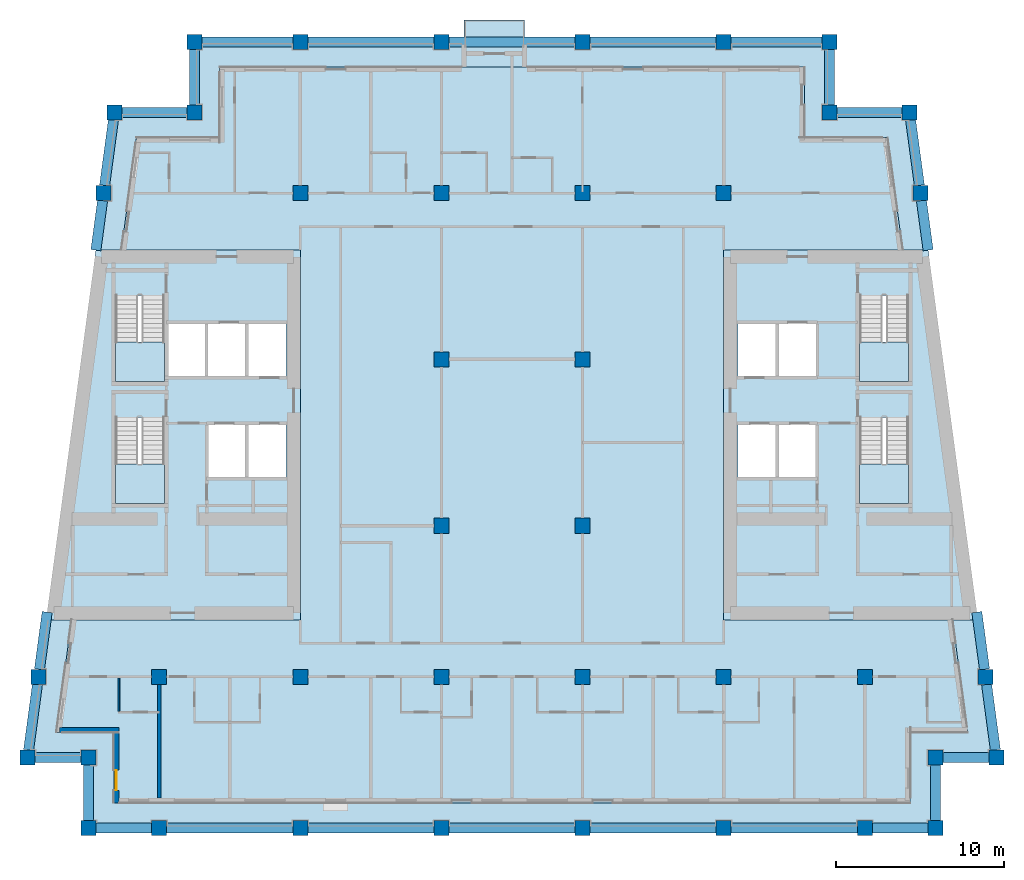
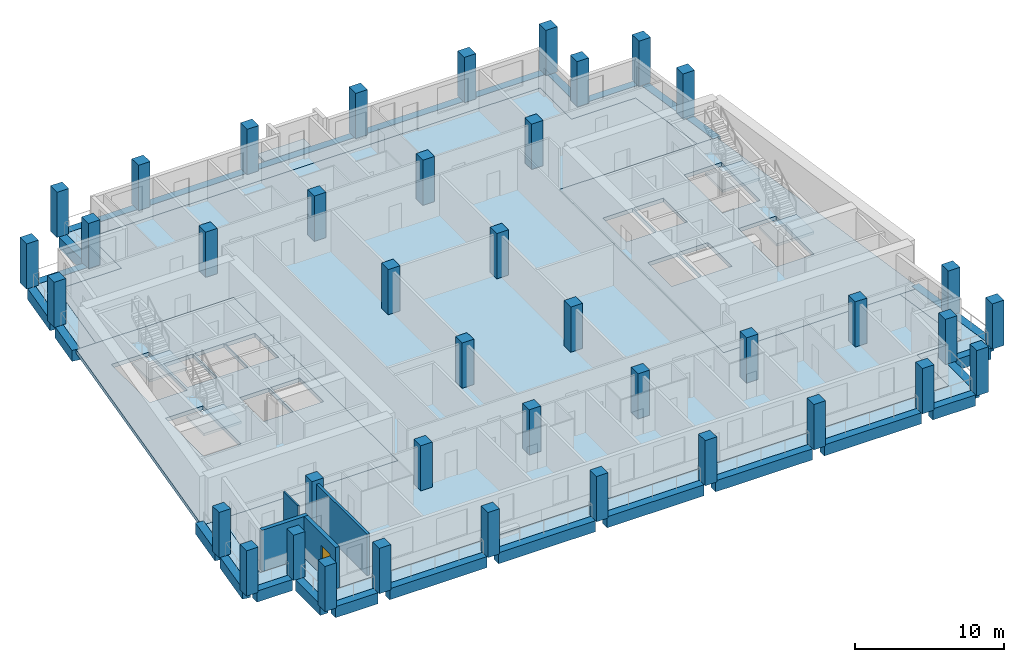
# One storey, part 1 of 12: 40 columns, 28 beams, 10 slabs, 4 walls, 1 door, 1 opening, 4 elements without a shape of their own.
"""IFC4 building model written with IfcOpenShell, lengths in metres."""

import ifcopenshell
import ifcopenshell.guid

model = None  # the IFC model being written
_history = None  # IfcOwnerHistory: only IFC2X3 demands one
_inside = {}  # id of a spatial element -> (the spatial element, [elements in it])
_under = {}  # id of a project, library or spatial element -> (it, [spatial elements below it])
_declared = {}  # id of a project -> (the project, [libraries it declares])
_typed = {}  # id of a type object -> (the type object, [elements of that type])
_made_of = {}  # id of a material, layer set ... -> (it, [elements and type objects made of it])


def new_model(schema):
    """Start an empty IFC model of exactly this schema.

    Asked for "IFC4X3", IfcOpenShell would pick the latest addendum, in which some entities
    have other attributes; the version numbers below select the first issue.
    IFC2X3 requires an IfcOwnerHistory on every rooted entity: one is made here for all.
    """
    global model, _history
    if schema == "IFC4X3":
        model = ifcopenshell.file(schema_version=(4, 3, 0, 0))
    else:
        model = ifcopenshell.file(schema=schema)
    _inside.clear()
    _under.clear()
    _declared.clear()
    _typed.clear()
    _made_of.clear()
    _history = None
    if model.schema == "IFC2X3":
        org = make("IfcOrganization", Name="unknown")
        user = make(
            "IfcPersonAndOrganization",
            ThePerson=make("IfcPerson", FamilyName="unknown"),
            TheOrganization=org,
        )
        app = make(
            "IfcApplication",
            ApplicationDeveloper=org,
            Version="unknown",
            ApplicationFullName="unknown",
            ApplicationIdentifier="unknown",
        )
        _history = make(
            "IfcOwnerHistory",
            OwningUser=user,
            OwningApplication=app,
            ChangeAction="ADDED",
            CreationDate=0,
        )
    return model


def make(cls, **values):
    """One entity of the class cls with the attributes given. An attribute that is None is left unset."""
    return model.create_entity(
        cls, **{name: value for name, value in values.items() if value is not None}
    )


def rooted(cls, **values):
    """An entity with a GlobalId (a new one), such as an element, a storey or a relation."""
    return make(cls, GlobalId=ifcopenshell.guid.new(), OwnerHistory=_history, **values)


def si_unit(unit_type, name, prefix=None):
    """IfcSIUnit, for example si_unit("LENGTHUNIT", "METRE", prefix="MILLI")."""
    return make("IfcSIUnit", UnitType=unit_type, Prefix=prefix, Name=name)


def assignment(units):
    """IfcUnitAssignment: the units of a project."""
    return None if units is None else make("IfcUnitAssignment", Units=units)


def point(xyz):
    """IfcCartesianPoint."""
    return None if xyz is None else make("IfcCartesianPoint", Coordinates=xyz)


def direction(xyz):
    """IfcDirection."""
    return None if xyz is None else make("IfcDirection", DirectionRatios=xyz)


def frame(location, z_axis=None, x_axis=None):
    """IfcAxis2Placement3D, a coordinate frame: its origin and axes. An axis left out is left unset."""
    return make(
        "IfcAxis2Placement3D",
        Location=point(location),
        Axis=direction(z_axis),
        RefDirection=direction(x_axis),
    )


def frame_2d(location, x_axis=None):
    """IfcAxis2Placement2D, a coordinate frame in the plane: its origin and x axis."""
    return make(
        "IfcAxis2Placement2D", Location=point(location), RefDirection=direction(x_axis)
    )


def origin():
    """The frame at (0, 0, 0) with its axes left unset."""
    return frame((0.0, 0.0, 0.0))


def origin_2d():
    """The frame at (0, 0) in the plane with its x axis left unset."""
    return frame_2d((0.0, 0.0))


def place(relative_to, where):
    """IfcLocalPlacement: puts the frame where relative to a parent placement (None: the world)."""
    return make(
        "IfcLocalPlacement", PlacementRelTo=relative_to, RelativePlacement=where
    )


def context(
    kind, dimensions, precision=None, world=None, true_north=None, identifier=None
):
    """IfcGeometricRepresentationContext, for example the 3D "Model" context."""
    return make(
        "IfcGeometricRepresentationContext",
        ContextIdentifier=identifier,
        ContextType=kind,
        CoordinateSpaceDimension=dimensions,
        Precision=precision,
        WorldCoordinateSystem=world,
        TrueNorth=true_north,
    )


def subcontext(parent, identifier, kind, view, scale=None):
    """IfcGeometricRepresentationSubContext, for example "Body" below "Model"."""
    return make(
        "IfcGeometricRepresentationSubContext",
        ContextIdentifier=identifier,
        ContextType=kind,
        ParentContext=parent,
        TargetScale=scale,
        TargetView=view,
    )


def project(units=None, contexts=None):
    """IfcProject with its units and contexts."""
    return rooted(
        "IfcProject",
        Name="project",
        RepresentationContexts=contexts,
        UnitsInContext=assignment(units),
    )


def spatial(cls, under=None, at=None, **own):
    """A site, building, storey or space (cls), placed at a placement, below another one or the project."""
    s = rooted(cls, ObjectPlacement=at, **own)
    if under is not None:
        _under.setdefault(under.id(), (under, []))[1].append(s)
    return s


def polyline(points):
    """IfcPolyline through the points."""
    return make("IfcPolyline", Points=[point(p) for p in points])


def profile(cls, at=None, kind="AREA", **sizes):
    """A parametric profile (cls). Its sizes go by their IFC names, for example OverallWidth=200.0."""
    return make(cls, ProfileType=kind, Position=at, **sizes)


def rectangle(**sizes):
    """IfcRectangleProfileDef."""
    return profile("IfcRectangleProfileDef", **sizes)


def outline(outer, holes=None, kind="AREA"):
    """IfcArbitraryClosedProfileDef: a profile drawn as a closed curve; with holes, ...WithVoids."""
    if holes is None:
        return make("IfcArbitraryClosedProfileDef", ProfileType=kind, OuterCurve=outer)
    return make(
        "IfcArbitraryProfileDefWithVoids",
        ProfileType=kind,
        OuterCurve=outer,
        InnerCurves=holes,
    )


def extrude(swept, where, along, depth):
    """IfcExtrudedAreaSolid: the profile swept, set in the frame where, extruded along a direction by depth."""
    return make(
        "IfcExtrudedAreaSolid",
        SweptArea=swept,
        Position=where,
        ExtrudedDirection=direction(along),
        Depth=depth,
    )


def shape(context_of_items, identifier, shape_type, items):
    """IfcShapeRepresentation: the items that make up one representation, for example the "Body"."""
    return make(
        "IfcShapeRepresentation",
        ContextOfItems=context_of_items,
        RepresentationIdentifier=identifier,
        RepresentationType=shape_type,
        Items=items,
    )


def material(Name=None, Category=None):
    """IfcMaterial."""
    return make("IfcMaterial", Name=Name, Category=Category)


def layer(
    of_material, thickness, ventilated=None, Name=None, Category=None, Priority=None
):
    """IfcMaterialLayer: one layer of a wall or slab, of a material (None: an air gap)."""
    return make(
        "IfcMaterialLayer",
        Material=of_material,
        LayerThickness=thickness,
        IsVentilated=ventilated,
        Name=Name,
        Category=Category,
        Priority=Priority,
    )


def layer_set(layers, Name=None):
    """IfcMaterialLayerSet."""
    return make("IfcMaterialLayerSet", MaterialLayers=layers, LayerSetName=Name)


def material_profile(
    of_material, cross_section, Name=None, Category=None, Priority=None
):
    """IfcMaterialProfile: a cross section and its material."""
    return make(
        "IfcMaterialProfile",
        Name=Name,
        Material=of_material,
        Profile=cross_section,
        Priority=Priority,
        Category=Category,
    )


def profile_set(profiles, Name=None, composite=None):
    """IfcMaterialProfileSet."""
    return make(
        "IfcMaterialProfileSet",
        Name=Name,
        MaterialProfiles=profiles,
        CompositeProfile=composite,
    )


def made_of(thing, what):
    """Note that an element or type object is made of a material, layer set ...; save() writes the relation."""
    if what is not None:
        _made_of.setdefault(what.id(), (what, []))[1].append(thing)
    return thing


def type_object(cls, material=None, **own):
    """A type object (cls), such as IfcWallType, which elements share."""
    return made_of(rooted(cls, **own), material)


def element(
    cls,
    number,
    at=None,
    inside=None,
    cuts=None,
    type_object=None,
    material=None,
    context=None,
    identifier="Body",
    shape_type=None,
    held_by="IfcProductDefinitionShape",
    body=None,
    shapes=None,
    **own,
):
    """One element of the class cls, such as IfcWall. Its Tag is "e" and its number.

    at: its placement. inside: the storey or other place that contains it. cuts: it is an
    opening in that element (IfcRelVoidsElement). A single representation is given by context,
    identifier, shape_type and body (its items); several are given by shapes. held_by: the class
    of the entity that holds the representations. save() writes the other relations.
    """
    e = rooted(cls, Tag="e%d" % number, ObjectPlacement=at, **own)
    if body is not None:
        shapes = [shape(context, identifier, shape_type, body)]
    if shapes is not None:
        e.Representation = make(held_by, Representations=shapes)
    if inside is not None:
        _inside.setdefault(inside.id(), (inside, []))[1].append(e)
    if cuts is not None:
        rooted(
            "IfcRelVoidsElement", RelatingBuildingElement=cuts, RelatedOpeningElement=e
        )
    if type_object is not None:
        _typed.setdefault(type_object.id(), (type_object, []))[1].append(e)
    return made_of(e, material)


def fill(opening, filler):
    """IfcRelFillsElement: the door or window that sits in an opening."""
    return rooted(
        "IfcRelFillsElement",
        RelatingOpeningElement=opening,
        RelatedBuildingElement=filler,
    )


def aggregate(whole, parts):
    """IfcRelAggregates: a whole, such as a stair, and the parts it consists of."""
    return rooted("IfcRelAggregates", RelatingObject=whole, RelatedObjects=parts)


def save(model, path):
    """Write the relations noted so far, then the file.

    IfcRelAggregates (storeys below a building ...), IfcRelContainedInSpatialStructure (elements
    in a storey), IfcRelDefinesByType, IfcRelAssociatesMaterial and IfcRelDeclares: one each for
    every whole, place, type object, material and project.
    """
    for whole, parts in _under.values():
        aggregate(whole, parts)
    for where, things in _inside.values():
        rooted(
            "IfcRelContainedInSpatialStructure",
            RelatedElements=things,
            RelatingStructure=where,
        )
    for kind, things in _typed.values():
        rooted("IfcRelDefinesByType", RelatedObjects=things, RelatingType=kind)
    for what, things in _made_of.values():
        rooted("IfcRelAssociatesMaterial", RelatedObjects=things, RelatingMaterial=what)
    for by, libraries in _declared.values():
        rooted("IfcRelDeclares", RelatingContext=by, RelatedDefinitions=libraries)
    model.write(path)


model = new_model("IFC4")

# Units and contexts
model_context = context("Model", 3, precision=1e-05, world=origin(), true_north=direction((0.0, 1.0)))
body_context = subcontext(model_context, "Body", "Model", "MODEL_VIEW")
ifc_project = project(units=[si_unit("LENGTHUNIT", "METRE"), si_unit("AREAUNIT", "SQUARE_METRE"), si_unit("VOLUMEUNIT", "CUBIC_METRE"), si_unit("PLANEANGLEUNIT", "RADIAN"), si_unit("MASSUNIT", "GRAM", prefix="KILO")], contexts=[model_context])

# Site, building, storey
site_placement = place(None, origin())
site = spatial("IfcSite", under=ifc_project, at=site_placement, CompositionType="ELEMENT")
building_placement = place(site_placement, origin())
building = spatial("IfcBuilding", under=site, at=building_placement, Name="Candeia Pilgrim Tower and Theatre", CompositionType="ELEMENT")
storey_placement = place(building_placement, frame((0.0, 0.0, 217.0)))
storey = spatial("IfcBuildingStorey", under=building, at=storey_placement, Name="L52", CompositionType="ELEMENT", Elevation=217.0)

# Columns
ifc_material_1 = material(Name="Concrete C50/60", Category="concrete")
ifc_material_profile_1 = material_profile(ifc_material_1, rectangle(XDim=0.89990234375, YDim=0.89990234375, at=origin_2d()))
ifc_profile_set_1 = profile_set([ifc_material_profile_1], Name="Concrete C50/60")
column_type = type_object("IfcColumnType", Name="RC 900x900 C50/60", PredefinedType="COLUMN", material=ifc_profile_set_1)
for number, where, z_axis, x_axis, name in (
    (1, (92.39990234375, 98.0, 0.0), (0.0, 0.0, 1.0), (1.0, 0.0, 0.0), "Column A1"),
    (2, (100.800048828125, 98.0, 0.0), (0.0, 0.0, 1.0), (1.0, 0.0, 0.0), "Column A2"),
    (3, (109.199951171875, 98.0, 0.0), (0.0, 0.0, 1.0), (1.0, 0.0, 0.0), "Column A3"),
    (4, (117.60009765625, 98.0, 0.0), (0.0, 0.0, 1.0), (1.0, 0.0, 0.0), "Column A4"),
    (5, (126.0, 98.0, 0.0), (0.0, 0.0, 1.0), (1.0, 0.0, 0.0), "Column A5"),
    (6, (134.39990234375, 98.0, 0.0), (0.0, 0.0, 1.0), (1.0, 0.0, 0.0), "Column A6"),
    (7, (88.199951171875, 98.0, 0.0), (0.0, 0.0, 1.0), (1.0, 0.0, 0.0), "Column AW"),
    (8, (138.60009765625, 98.0, 0.0), (0.0, 0.0, 1.0), (1.0, 0.0, 0.0), "Column AE"),
    (9, (88.199951171875, 102.199951171875, 0.0), (0.0, 0.0, 1.0), (1.0, 0.0, 0.0), "Column NSW"),
    (10, (138.60009765625, 102.199951171875, 0.0), (0.0, 0.0, 1.0), (1.0, 0.0, 0.0), "Column NSE"),
    (11, (94.5, 140.60009765625, 0.0), (0.0, 0.0, 1.0), (1.0, 0.0, 0.0), "Column NNW"),
    (12, (132.300048828125, 140.60009765625, 0.0), (0.0, 0.0, 1.0), (1.0, 0.0, 0.0), "Column NNE"),
    (13, (84.5654296875, 102.199951171875, 0.0), (0.0, 0.0, 1.0), (1.0, 0.0, 0.0), "Column LSW"),
    (14, (142.234619140625, 102.199951171875, 0.0), (0.0, 0.0, 1.0), (1.0, 0.0, 0.0), "Column LSE"),
    (15, (89.734619140625, 140.60009765625, 0.0), (0.0, 0.0, 1.0), (1.0, 0.0, 0.0), "Column LNW"),
    (16, (137.0654296875, 140.60009765625, 0.0), (0.0, 0.0, 1.0), (1.0, 0.0, 0.0), "Column LNE"),
    (17, (92.39990234375, 107.0, 0.0), (0.0, 0.0, 1.0), (1.0, 0.0, 0.0), "Column B1"),
    (18, (100.800048828125, 107.0, 0.0), (0.0, 0.0, 1.0), (1.0, 0.0, 0.0), "Column B2"),
    (19, (109.199951171875, 107.0, 0.0), (0.0, 0.0, 1.0), (1.0, 0.0, 0.0), "Column B3"),
    (20, (117.60009765625, 107.0, 0.0), (0.0, 0.0, 1.0), (1.0, 0.0, 0.0), "Column B4"),
    (21, (126.0, 107.0, 0.0), (0.0, 0.0, 1.0), (1.0, 0.0, 0.0), "Column B5"),
    (22, (134.39990234375, 107.0, 0.0), (0.0, 0.0, 1.0), (1.0, 0.0, 0.0), "Column B6"),
    (23, (85.21142578125, 107.0, 0.0), (0.0, 0.0, 1.0), (1.0, 0.0, 0.0), "Column BW"),
    (24, (141.58837890625, 107.0, 0.0), (0.0, 0.0, 1.0), (1.0, 0.0, 0.0), "Column BE"),
    (25, (109.199951171875, 116.0, 0.0), (0.0, 0.0, 1.0), (1.0, 0.0, 0.0), "Column C3"),
    (26, (117.60009765625, 116.0, 0.0), (0.0, 0.0, 1.0), (1.0, 0.0, 0.0), "Column C4"),
    (27, (109.199951171875, 125.89990234375, 0.0), (0.0, 0.0, 1.0), (1.0, 0.0, 0.0), "Column D3"),
    (28, (117.60009765625, 125.89990234375, 0.0), (0.0, 0.0, 1.0), (1.0, 0.0, 0.0), "Column D4"),
    (29, (100.800048828125, 135.800048828125, 0.0), (0.0, 0.0, 1.0), (1.0, 0.0, 0.0), "Column E2"),
    (30, (109.199951171875, 135.800048828125, 0.0), (0.0, 0.0, 1.0), (1.0, 0.0, 0.0), "Column E3"),
    (31, (117.60009765625, 135.800048828125, 0.0), (0.0, 0.0, 1.0), (1.0, 0.0, 0.0), "Column E4"),
    (32, (126.0, 135.800048828125, 0.0), (0.0, 0.0, 1.0), (1.0, 0.0, 0.0), "Column E5"),
    (33, (89.08837890625, 135.800048828125, 0.0), (0.0, 0.0, 1.0), (1.0, 0.0, 0.0), "Column EW"),
    (34, (137.71142578125, 135.800048828125, 0.0), (0.0, 0.0, 1.0), (1.0, 0.0, 0.0), "Column EE"),
    (35, (100.800048828125, 144.800048828125, 0.0), (0.0, 0.0, 1.0), (1.0, 0.0, 0.0), "Column F2"),
    (36, (109.199951171875, 144.800048828125, 0.0), (0.0, 0.0, 1.0), (1.0, 0.0, 0.0), "Column F3"),
    (37, (117.60009765625, 144.800048828125, 0.0), (0.0, 0.0, 1.0), (1.0, 0.0, 0.0), "Column F4"),
    (38, (126.0, 144.800048828125, 0.0), (0.0, 0.0, 1.0), (1.0, 0.0, 0.0), "Column F5"),
    (39, (94.5, 144.800048828125, 0.0), (0.0, 0.0, 1.0), (1.0, 0.0, 0.0), "Column FW"),
    (40, (132.300048828125, 144.800048828125, 0.0), (0.0, 0.0, 1.0), (1.0, 0.0, 0.0), "Column FE"),
):
    element("IfcColumn", number, at=place(storey_placement, frame(where, z_axis=z_axis, x_axis=x_axis)), inside=storey, type_object=column_type, Name=name, PredefinedType="COLUMN", context=body_context, shape_type="SweptSolid", body=[
        extrude(rectangle(XDim=0.89990234375, YDim=0.89990234375, at=origin_2d()), origin(), (0.0, 0.0, 1.0), 3.699951171875),
    ])

# Beams
ifc_material_profile_2 = material_profile(ifc_material_1, rectangle(XDim=0.60009765625, YDim=0.89990234375, at=origin_2d()))
ifc_profile_set_2 = profile_set([ifc_material_profile_2], Name="Concrete C50/60")
beam_type = type_object("IfcBeamType", Name="RC 600x900 C50/60", PredefinedType="BEAM", material=ifc_profile_set_2)
beam_1_placement = place(storey_placement, frame((88.64990234375, 98.0, -0.449951171875), z_axis=(1.0, 0.0, 0.0), x_axis=(0.0, 1.0, 0.0)))
element("IfcBeam", 41, at=beam_1_placement, inside=storey, type_object=beam_type, Name="Spandrel beam L52-01", PredefinedType="BEAM", context=body_context, shape_type="SweptSolid", body=[
    extrude(rectangle(XDim=0.60009765625, YDim=0.89990234375, at=origin_2d()), origin(), (0.0, 0.0, 1.0), 3.300048828125),
])
for number, where, z_axis, x_axis, name in (
    (42, (92.85009765625, 98.0, -0.449951171875), (1.0, 0.0, 0.0), (0.0, 1.0, 0.0), "Spandrel beam L52-02"),
    (43, (101.25, 98.0, -0.449951171875), (1.0, 0.0, 0.0), (0.0, 1.0, 0.0), "Spandrel beam L52-03"),
    (44, (109.64990234375, 98.0, -0.449951171875), (1.0, 0.0, 0.0), (0.0, 1.0, 0.0), "Spandrel beam L52-04"),
    (45, (118.050048828125, 98.0, -0.449951171875), (1.0, 0.0, 0.0), (0.0, 1.0, 0.0), "Spandrel beam L52-05"),
    (46, (126.449951171875, 98.0, -0.449951171875), (1.0, 0.0, 0.0), (0.0, 1.0, 0.0), "Spandrel beam L52-06"),
):
    element("IfcBeam", number, at=place(storey_placement, frame(where, z_axis=z_axis, x_axis=x_axis)), inside=storey, type_object=beam_type, Name=name, PredefinedType="BEAM", context=body_context, shape_type="SweptSolid", body=[
        extrude(rectangle(XDim=0.60009765625, YDim=0.89990234375, at=origin_2d()), origin(), (0.0, 0.0, 1.0), 7.5),
    ])
beam_2_placement = place(storey_placement, frame((134.85009765625, 98.0, -0.449951171875), z_axis=(1.0, 0.0, 0.0), x_axis=(0.0, 1.0, 0.0)))
element("IfcBeam", 47, at=beam_2_placement, inside=storey, type_object=beam_type, Name="Spandrel beam L52-07", PredefinedType="BEAM", context=body_context, shape_type="SweptSolid", body=[
    extrude(rectangle(XDim=0.60009765625, YDim=0.89990234375, at=origin_2d()), origin(), (0.0, 0.0, 1.0), 3.2998046875),
])
beam_3_placement = place(storey_placement, frame((138.60009765625, 98.449951171875, -0.449951171875), z_axis=(0.0, 1.0, 0.0), x_axis=(-1.0, 0.0, 0.0)))
element("IfcBeam", 48, at=beam_3_placement, inside=storey, type_object=beam_type, Name="Spandrel beam L52-08", PredefinedType="BEAM", context=body_context, shape_type="SweptSolid", body=[
    extrude(rectangle(XDim=0.60009765625, YDim=0.89990234375, at=origin_2d()), origin(), (0.0, 0.0, 1.0), 3.300048828125),
])
beam_4_placement = place(storey_placement, frame((139.050048828125, 102.199951171875, -0.449951171875), z_axis=(1.0, 0.0, 0.0), x_axis=(0.0, 1.0, 0.0)))
element("IfcBeam", 49, at=beam_4_placement, inside=storey, type_object=beam_type, Name="Spandrel beam L52-09", PredefinedType="BEAM", context=body_context, shape_type="SweptSolid", body=[
    extrude(rectangle(XDim=0.60009765625, YDim=0.89990234375, at=origin_2d()), origin(), (0.0, 0.0, 1.0), 2.734619140625),
])
beam_5_placement = place(storey_placement, frame((142.174072265625, 102.64990234375, -0.449951171875), z_axis=(-0.133443650757, 0.991056402064, 0.0), x_axis=(-0.991056402064, -0.133443650757, 0.0)))
element("IfcBeam", 50, at=beam_5_placement, inside=storey, type_object=beam_type, Name="Spandrel beam L52-10", PredefinedType="BEAM", context=body_context, shape_type="SweptSolid", body=[
    extrude(rectangle(XDim=0.60009765625, YDim=0.89990234375, at=origin_2d()), origin(), (0.0, 0.0, 1.0), 3.935302734375),
])
beam_6_placement = place(storey_placement, frame((141.52783203125, 107.449951171875, -0.449951171875), z_axis=(-0.133374411439, 0.99106572253, 0.0), x_axis=(-0.99106572253, -0.133374411439, 0.0)))
element("IfcBeam", 51, at=beam_6_placement, inside=storey, type_object=beam_type, Name="Spandrel beam L52-11", PredefinedType="BEAM", context=body_context, shape_type="SweptSolid", body=[
    extrude(rectangle(XDim=0.60009765625, YDim=0.89990234375, at=origin_2d()), origin(), (0.0, 0.0, 1.0), 3.43408203125),
])
beam_7_placement = place(storey_placement, frame((138.169189453125, 132.39990234375, -0.449951171875), z_axis=(-0.133356242983, 0.991068167412, 0.0), x_axis=(-0.991068167412, -0.133356242983, 0.0)))
element("IfcBeam", 52, at=beam_7_placement, inside=storey, type_object=beam_type, Name="Spandrel beam L52-12", PredefinedType="BEAM", context=body_context, shape_type="SweptSolid", body=[
    extrude(rectangle(XDim=0.60009765625, YDim=0.89990234375, at=origin_2d()), origin(), (0.0, 0.0, 1.0), 2.976806640625),
])
beam_8_placement = place(storey_placement, frame((137.65087890625, 136.25, -0.449951171875), z_axis=(-0.133390918184, 0.991063500965, 0.0), x_axis=(-0.991063500965, -0.133390918184, 0.0)))
element("IfcBeam", 53, at=beam_8_placement, inside=storey, type_object=beam_type, Name="Spandrel beam L52-13", PredefinedType="BEAM", context=body_context, shape_type="SweptSolid", body=[
    extrude(rectangle(XDim=0.60009765625, YDim=0.89990234375, at=origin_2d()), origin(), (0.0, 0.0, 1.0), 3.93505859375),
])
beam_9_placement = place(storey_placement, frame((136.615478515625, 140.60009765625, -0.449951171875), z_axis=(-1.0, 0.0, 0.0), x_axis=(0.0, -1.0, 0.0)))
element("IfcBeam", 54, at=beam_9_placement, inside=storey, type_object=beam_type, Name="Spandrel beam L52-14", PredefinedType="BEAM", context=body_context, shape_type="SweptSolid", body=[
    extrude(rectangle(XDim=0.60009765625, YDim=0.89990234375, at=origin_2d()), origin(), (0.0, 0.0, 1.0), 3.865478515625),
])
beam_10_placement = place(storey_placement, frame((132.300048828125, 141.050048828125, -0.449951171875), z_axis=(0.0, 1.0, 0.0), x_axis=(-1.0, 0.0, 0.0)))
element("IfcBeam", 55, at=beam_10_placement, inside=storey, type_object=beam_type, Name="Spandrel beam L52-15", PredefinedType="BEAM", context=body_context, shape_type="SweptSolid", body=[
    extrude(rectangle(XDim=0.60009765625, YDim=0.89990234375, at=origin_2d()), origin(), (0.0, 0.0, 1.0), 3.300048828125),
])
beam_11_placement = place(storey_placement, frame((131.85009765625, 144.800048828125, -0.449951171875), z_axis=(-1.0, 0.0, 0.0), x_axis=(0.0, -1.0, 0.0)))
element("IfcBeam", 56, at=beam_11_placement, inside=storey, type_object=beam_type, Name="Spandrel beam L52-16", PredefinedType="BEAM", context=body_context, shape_type="SweptSolid", body=[
    extrude(rectangle(XDim=0.60009765625, YDim=0.89990234375, at=origin_2d()), origin(), (0.0, 0.0, 1.0), 5.400146484375),
])
for number, where, z_axis, x_axis, name in (
    (57, (125.550048828125, 144.800048828125, -0.449951171875), (-1.0, 0.0, 0.0), (0.0, -1.0, 0.0), "Spandrel beam L52-17"),
    (58, (117.14990234375, 144.800048828125, -0.449951171875), (-1.0, 0.0, 0.0), (0.0, -1.0, 0.0), "Spandrel beam L52-18"),
    (59, (108.75, 144.800048828125, -0.449951171875), (-1.0, 0.0, 0.0), (0.0, -1.0, 0.0), "Spandrel beam L52-19"),
):
    element("IfcBeam", number, at=place(storey_placement, frame(where, z_axis=z_axis, x_axis=x_axis)), inside=storey, type_object=beam_type, Name=name, PredefinedType="BEAM", context=body_context, shape_type="SweptSolid", body=[
        extrude(rectangle(XDim=0.60009765625, YDim=0.89990234375, at=origin_2d()), origin(), (0.0, 0.0, 1.0), 7.5),
    ])
beam_12_placement = place(storey_placement, frame((100.35009765625, 144.800048828125, -0.449951171875), z_axis=(-1.0, 0.0, 0.0), x_axis=(0.0, -1.0, 0.0)))
element("IfcBeam", 60, at=beam_12_placement, inside=storey, type_object=beam_type, Name="Spandrel beam L52-20", PredefinedType="BEAM", context=body_context, shape_type="SweptSolid", body=[
    extrude(rectangle(XDim=0.60009765625, YDim=0.89990234375, at=origin_2d()), origin(), (0.0, 0.0, 1.0), 5.400146484375),
])
beam_13_placement = place(storey_placement, frame((94.5, 144.35009765625, -0.449951171875), z_axis=(0.0, -1.0, 0.0), x_axis=(1.0, 0.0, 0.0)))
element("IfcBeam", 61, at=beam_13_placement, inside=storey, type_object=beam_type, Name="Spandrel beam L52-21", PredefinedType="BEAM", context=body_context, shape_type="SweptSolid", body=[
    extrude(rectangle(XDim=0.60009765625, YDim=0.89990234375, at=origin_2d()), origin(), (0.0, 0.0, 1.0), 3.300048828125),
])
beam_14_placement = place(storey_placement, frame((94.050048828125, 140.60009765625, -0.449951171875), z_axis=(-1.0, 0.0, 0.0), x_axis=(0.0, -1.0, 0.0)))
element("IfcBeam", 62, at=beam_14_placement, inside=storey, type_object=beam_type, Name="Spandrel beam L52-22", PredefinedType="BEAM", context=body_context, shape_type="SweptSolid", body=[
    extrude(rectangle(XDim=0.60009765625, YDim=0.89990234375, at=origin_2d()), origin(), (0.0, 0.0, 1.0), 3.865478515625),
])
beam_15_placement = place(storey_placement, frame((89.674072265625, 140.14990234375, -0.449951171875), z_axis=(-0.133451855788, -0.99105529724, 0.0), x_axis=(0.99105529724, -0.133451855788, 0.0)))
element("IfcBeam", 63, at=beam_15_placement, inside=storey, type_object=beam_type, Name="Spandrel beam L52-23", PredefinedType="BEAM", context=body_context, shape_type="SweptSolid", body=[
    extrude(rectangle(XDim=0.60009765625, YDim=0.89990234375, at=origin_2d()), origin(), (0.0, 0.0, 1.0), 3.93505859375),
])
beam_16_placement = place(storey_placement, frame((89.02783203125, 135.35009765625, -0.449951171875), z_axis=(-0.133356242983, -0.991068167412, 0.0), x_axis=(0.991068167412, -0.133356242983, 0.0)))
element("IfcBeam", 64, at=beam_16_placement, inside=storey, type_object=beam_type, Name="Spandrel beam L52-24", PredefinedType="BEAM", context=body_context, shape_type="SweptSolid", body=[
    extrude(rectangle(XDim=0.60009765625, YDim=0.89990234375, at=origin_2d()), origin(), (0.0, 0.0, 1.0), 2.976806640625),
])
beam_17_placement = place(storey_placement, frame((85.730224609375, 110.853271484375, -0.449951171875), z_axis=(-0.133374411439, -0.99106572253, 0.0), x_axis=(0.99106572253, -0.133374411439, 0.0)))
element("IfcBeam", 65, at=beam_17_placement, inside=storey, type_object=beam_type, Name="Spandrel beam L52-25", PredefinedType="BEAM", context=body_context, shape_type="SweptSolid", body=[
    extrude(rectangle(XDim=0.60009765625, YDim=0.89990234375, at=origin_2d()), origin(), (0.0, 0.0, 1.0), 3.43408203125),
])
beam_18_placement = place(storey_placement, frame((85.15087890625, 106.550048828125, -0.449951171875), z_axis=(-0.133382716764, -0.991064604791, 0.0), x_axis=(0.991064604791, -0.133382716764, 0.0)))
element("IfcBeam", 66, at=beam_18_placement, inside=storey, type_object=beam_type, Name="Spandrel beam L52-26", PredefinedType="BEAM", context=body_context, shape_type="SweptSolid", body=[
    extrude(rectangle(XDim=0.60009765625, YDim=0.89990234375, at=origin_2d()), origin(), (0.0, 0.0, 1.0), 3.935302734375),
])
beam_19_placement = place(storey_placement, frame((85.015380859375, 102.199951171875, -0.449951171875), z_axis=(1.0, 0.0, 0.0), x_axis=(0.0, 1.0, 0.0)))
element("IfcBeam", 67, at=beam_19_placement, inside=storey, type_object=beam_type, Name="Spandrel beam L52-27", PredefinedType="BEAM", context=body_context, shape_type="SweptSolid", body=[
    extrude(rectangle(XDim=0.60009765625, YDim=0.89990234375, at=origin_2d()), origin(), (0.0, 0.0, 1.0), 2.734619140625),
])
beam_20_placement = place(storey_placement, frame((88.199951171875, 101.75, -0.449951171875), z_axis=(0.0, -1.0, 0.0), x_axis=(1.0, 0.0, 0.0)))
element("IfcBeam", 68, at=beam_20_placement, inside=storey, type_object=beam_type, Name="Spandrel beam L52-28", PredefinedType="BEAM", context=body_context, shape_type="SweptSolid", body=[
    extrude(rectangle(XDim=0.60009765625, YDim=0.89990234375, at=origin_2d()), origin(), (0.0, 0.0, 1.0), 3.300048828125),
])

# Slabs
ifc_material_2 = material(Name="Concrete C40/50", Category="concrete")
ifc_layer_1 = layer(ifc_material_2, 0.25)
ifc_layer_set_1 = layer_set([ifc_layer_1], Name="BK1 balcony slab 250")
slab_type_1 = type_object("IfcSlabType", Name="BK1 balcony slab 250", PredefinedType="USERDEFINED", material=ifc_layer_set_1)
slab_1_placement = place(storey_placement, frame((0.0, 0.0, -0.25)))
element("IfcSlab", 69, at=slab_1_placement, inside=storey, type_object=slab_type_1, Name="Balcony L52", ObjectType="BALCONY", PredefinedType="USERDEFINED", context=body_context, shape_type="SweptSolid", body=[
    extrude(outline(polyline([(110.550048828125, 144.5), (114.14990234375, 144.5), (114.14990234375, 146.10009765625), (110.550048828125, 146.10009765625), (110.550048828125, 144.5)])), origin(), (0.0, 0.0, 1.0), 0.25),
])
ifc_material_3 = material(Name="Concrete C60/75", Category="concrete")
ifc_layer_2 = layer(ifc_material_3, 0.320068359375)
ifc_layer_set_2 = layer_set([ifc_layer_2], Name="FS-CORE 320 core floor")
slab_type_2 = type_object("IfcSlabType", Name="FS-CORE 320 core floor", PredefinedType="FLOOR", material=ifc_layer_set_2)
slab_2_placement = place(storey_placement, frame((0.0, 0.0, -0.320068359375)))
element("IfcSlab", 70, at=slab_2_placement, inside=storey, type_object=slab_type_2, Name="Core floor W L52", PredefinedType="FLOOR", context=body_context, shape_type="SweptSolid", body=[
    extrude(outline(polyline([(100.800048828125, 132.39990234375), (100.800048828125, 110.39990234375), (85.669189453125, 110.39990234375), (88.630859375, 132.39990234375), (100.800048828125, 132.39990234375)]), holes=[polyline([(97.658935546875, 128.050048828125), (97.658935546875, 124.85009765625), (99.949951171875, 124.85009765625), (99.949951171875, 128.050048828125), (97.658935546875, 128.050048828125)]), polyline([(97.66357421875, 122.050048828125), (97.66357421875, 118.85009765625), (99.949951171875, 118.85009765625), (99.949951171875, 122.050048828125), (97.66357421875, 122.050048828125)]), polyline([(95.277099609375, 122.050048828125), (95.277099609375, 118.85009765625), (97.5634765625, 118.85009765625), (97.5634765625, 122.050048828125), (95.277099609375, 122.050048828125)]), polyline([(95.26806640625, 128.050048828125), (95.26806640625, 124.85009765625), (97.55908203125, 124.85009765625), (97.55908203125, 128.050048828125), (95.26806640625, 128.050048828125)]), polyline([(92.876953125, 128.050048828125), (92.876953125, 124.85009765625), (95.16796875, 124.85009765625), (95.16796875, 128.050048828125), (92.876953125, 128.050048828125)]), polyline([(89.802001953125, 117.324951171875), (92.701904296875, 117.324951171875), (92.701904296875, 122.455078125), (89.802001953125, 122.455078125), (89.802001953125, 117.324951171875)]), polyline([(89.802001953125, 129.705078125), (89.802001953125, 124.574951171875), (92.701904296875, 124.574951171875), (92.701904296875, 129.705078125), (89.802001953125, 129.705078125)])]), origin(), (0.0, 0.0, 1.0), 0.320068359375),
])
slab_3_placement = place(storey_placement, frame((0.0, 0.0, -0.320068359375)))
element("IfcSlab", 71, at=slab_3_placement, inside=storey, type_object=slab_type_2, Name="Core floor E L52", PredefinedType="FLOOR", context=body_context, shape_type="SweptSolid", body=[
    extrude(outline(polyline([(138.169189453125, 132.39990234375), (141.130859375, 110.39990234375), (126.0, 110.39990234375), (126.0, 132.39990234375), (138.169189453125, 132.39990234375)]), holes=[polyline([(134.097900390625, 117.324951171875), (136.998046875, 117.324951171875), (136.998046875, 122.455078125), (134.097900390625, 122.455078125), (134.097900390625, 117.324951171875)]), polyline([(134.097900390625, 129.705078125), (134.097900390625, 124.574951171875), (136.998046875, 124.574951171875), (136.998046875, 129.705078125), (134.097900390625, 129.705078125)]), polyline([(131.531982421875, 128.050048828125), (129.240966796875, 128.050048828125), (129.240966796875, 124.85009765625), (131.531982421875, 124.85009765625), (131.531982421875, 128.050048828125)]), polyline([(131.52294921875, 122.050048828125), (129.236572265625, 122.050048828125), (129.236572265625, 118.85009765625), (131.52294921875, 118.85009765625), (131.52294921875, 122.050048828125)]), polyline([(126.85009765625, 128.050048828125), (126.85009765625, 124.85009765625), (129.14111328125, 124.85009765625), (129.14111328125, 128.050048828125), (126.85009765625, 128.050048828125)]), polyline([(129.136474609375, 122.050048828125), (126.85009765625, 122.050048828125), (126.85009765625, 118.85009765625), (129.136474609375, 118.85009765625), (129.136474609375, 122.050048828125)])]), origin(), (0.0, 0.0, 1.0), 0.320068359375),
])
ifc_layer_3 = layer(ifc_material_1, 0.320068359375)
ifc_layer_set_3 = layer_set([ifc_layer_3], Name="Floor slab 320 C50/60")
slab_type_3 = type_object("IfcSlabType", Name="Floor slab 320 C50/60", PredefinedType="FLOOR", material=ifc_layer_set_3)
slab_4_placement = place(storey_placement, frame((0.0, 0.0, -0.320068359375)))
element("IfcSlab", 72, at=slab_4_placement, inside=storey, type_object=slab_type_3, Name="Floor slab L52", PredefinedType="FLOOR", context=body_context, shape_type="SweptSolid", body=[
    extrude(outline(polyline([(96.0, 139.10009765625), (96.0, 143.300048828125), (130.800048828125, 143.300048828125), (130.800048828125, 139.10009765625), (135.753662109375, 139.10009765625), (136.65576171875, 132.39990234375), (126.0, 132.39990234375), (126.0, 110.39990234375), (139.6171875, 110.39990234375), (140.51904296875, 103.699951171875), (137.10009765625, 103.699951171875), (137.10009765625, 99.5), (89.699951171875, 99.5), (89.699951171875, 103.699951171875), (86.28076171875, 103.699951171875), (87.182861328125, 110.39990234375), (100.800048828125, 110.39990234375), (100.800048828125, 132.39990234375), (90.144287109375, 132.39990234375), (91.046142578125, 139.10009765625), (96.0, 139.10009765625)])), origin(), (0.0, 0.0, 1.0), 0.320068359375),
])
ifc_layer_4 = layer(ifc_material_2, 0.25)
ifc_layer_set_4 = layer_set([ifc_layer_4], Name="Loggia slab 250 C40/50")
slab_type_4 = type_object("IfcSlabType", Name="Loggia slab 250 C40/50", PredefinedType="FLOOR", material=ifc_layer_set_4)
slab_5_placement = place(storey_placement, frame((0.0, 0.0, -0.25)))
element("IfcSlab", 73, at=slab_5_placement, inside=storey, type_object=slab_type_4, Name="Loggia slab L52 1", PredefinedType="FLOOR", context=body_context, shape_type="SweptSolid", body=[
    extrude(outline(polyline([(87.182861328125, 110.39990234375), (86.28076171875, 103.699951171875), (89.699951171875, 103.699951171875), (89.699951171875, 99.5), (137.10009765625, 99.5), (137.10009765625, 103.699951171875), (140.51904296875, 103.699951171875), (139.6171875, 110.39990234375), (140.828125, 110.39990234375), (141.8916015625, 102.5), (138.300048828125, 102.5), (138.300048828125, 98.300048828125), (88.5, 98.300048828125), (88.5, 102.5), (84.908447265625, 102.5), (85.971923828125, 110.39990234375), (87.182861328125, 110.39990234375)])), origin(), (0.0, 0.0, 1.0), 0.25),
])
slab_6_placement = place(storey_placement, frame((0.0, 0.0, -0.25)))
element("IfcSlab", 74, at=slab_6_placement, inside=storey, type_object=slab_type_4, Name="Loggia slab L52 2", PredefinedType="FLOOR", context=body_context, shape_type="SweptSolid", body=[
    extrude(outline(polyline([(136.65576171875, 132.39990234375), (135.753662109375, 139.10009765625), (130.800048828125, 139.10009765625), (130.800048828125, 143.300048828125), (96.0, 143.300048828125), (96.0, 139.10009765625), (91.046142578125, 139.10009765625), (90.144287109375, 132.39990234375), (88.93359375, 132.39990234375), (89.996826171875, 140.300048828125), (94.800048828125, 140.300048828125), (94.800048828125, 144.5), (132.0, 144.5), (132.0, 140.300048828125), (136.802978515625, 140.300048828125), (137.866455078125, 132.39990234375), (136.65576171875, 132.39990234375)])), origin(), (0.0, 0.0, 1.0), 0.25),
])

# Stair, slab
stair_type = type_object("IfcStairType", Name="ST-TWR dog-leg escape stair", PredefinedType="HALF_TURN_STAIR", material=ifc_material_2)
stair_1_placement = place(storey_placement, origin())
stair_1 = element("IfcStair", 75, at=stair_1_placement, inside=storey, type_object=stair_type, Name="L52 Escape stair ST1", PredefinedType="HALF_TURN_STAIR")
ifc_layer_5 = layer(ifc_material_2, 0.199951171875)
ifc_layer_set_5 = layer_set([ifc_layer_5], Name="SL-LANDING stair landing")
slab_type_5 = type_object("IfcSlabType", Name="SL-LANDING stair landing", PredefinedType="LANDING", material=ifc_layer_set_5)
slab_7_placement = place(storey_placement, frame((0.0, 0.0, 1.64990234375)))
slab_7 = element("IfcSlab", 76, at=slab_7_placement, type_object=slab_type_5, Name="ST1 landing 1", PredefinedType="LANDING", context=body_context, shape_type="SweptSolid", body=[
    extrude(outline(polyline([(89.802001953125, 119.675048828125), (89.802001953125, 117.324951171875), (92.701904296875, 117.324951171875), (92.701904296875, 119.675048828125), (89.802001953125, 119.675048828125)])), origin(), (0.0, 0.0, 1.0), 0.2001953125),
])
aggregate(stair_1, [slab_7])

stair_2_placement = place(storey_placement, origin())
stair_2 = element("IfcStair", 77, at=stair_2_placement, inside=storey, type_object=stair_type, Name="L52 Escape stair ST2", PredefinedType="HALF_TURN_STAIR")
slab_8_placement = place(storey_placement, frame((0.0, 0.0, 1.64990234375)))
slab_8 = element("IfcSlab", 78, at=slab_8_placement, type_object=slab_type_5, Name="ST2 landing 1", PredefinedType="LANDING", context=body_context, shape_type="SweptSolid", body=[
    extrude(outline(polyline([(89.802001953125, 126.925048828125), (89.802001953125, 124.574951171875), (92.701904296875, 124.574951171875), (92.701904296875, 126.925048828125), (89.802001953125, 126.925048828125)])), origin(), (0.0, 0.0, 1.0), 0.2001953125),
])
aggregate(stair_2, [slab_8])

stair_3_placement = place(storey_placement, origin())
stair_3 = element("IfcStair", 79, at=stair_3_placement, inside=storey, type_object=stair_type, Name="L52 Escape stair ST3", PredefinedType="HALF_TURN_STAIR")
slab_9_placement = place(storey_placement, frame((0.0, 0.0, 1.64990234375)))
slab_9 = element("IfcSlab", 80, at=slab_9_placement, type_object=slab_type_5, Name="ST3 landing 1", PredefinedType="LANDING", context=body_context, shape_type="SweptSolid", body=[
    extrude(outline(polyline([(134.097900390625, 119.675048828125), (134.097900390625, 117.324951171875), (136.998046875, 117.324951171875), (136.998046875, 119.675048828125), (134.097900390625, 119.675048828125)])), origin(), (0.0, 0.0, 1.0), 0.2001953125),
])
aggregate(stair_3, [slab_9])

stair_4_placement = place(storey_placement, origin())
stair_4 = element("IfcStair", 81, at=stair_4_placement, inside=storey, type_object=stair_type, Name="L52 Escape stair ST4", PredefinedType="HALF_TURN_STAIR")
slab_10_placement = place(storey_placement, frame((0.0, 0.0, 1.64990234375)))
slab_10 = element("IfcSlab", 82, at=slab_10_placement, type_object=slab_type_5, Name="ST4 landing 1", PredefinedType="LANDING", context=body_context, shape_type="SweptSolid", body=[
    extrude(outline(polyline([(134.097900390625, 126.925048828125), (134.097900390625, 124.574951171875), (136.998046875, 124.574951171875), (136.998046875, 126.925048828125), (134.097900390625, 126.925048828125)])), origin(), (0.0, 0.0, 1.0), 0.2001953125),
])
aggregate(stair_4, [slab_10])

# Wall
ifc_material_4 = material(Name="Ceramic block masonry", Category="masonry")
ifc_layer_6 = layer(ifc_material_4, 0.300048828125)
ifc_layer_set_6 = layer_set([ifc_layer_6], Name="EW1 glazing-line wall 300")
wall_type_1 = type_object("IfcWallType", Name="EW1 glazing-line wall 300", PredefinedType="SOLIDWALL", material=ifc_layer_set_6)
wall_1_placement = place(storey_placement, frame((86.452392578125, 103.85009765625, 0.0), z_axis=(0.0, 0.0, 1.0), x_axis=(1.0, 0.0, 0.0)))
element("IfcWall", 83, at=wall_1_placement, inside=storey, type_object=wall_type_1, Name="External wall L52-10.0", PredefinedType="SOLIDWALL", context=body_context, shape_type="SweptSolid", body=[
    extrude(rectangle(XDim=3.547607421875, YDim=0.300048828125, at=frame_2d((1.77392578125, 0.0))), origin(), (0.0, 0.0, 1.0), 3.3798828125),
])

# Wall, opening, door
wall_2_placement = place(storey_placement, frame((89.85009765625, 103.85009765625, 0.0), z_axis=(0.0, 0.0, 1.0), x_axis=(0.0, -1.0, 0.0)))
wall_2 = element("IfcWall", 84, at=wall_2_placement, inside=storey, type_object=wall_type_1, Name="External wall L52-11.0", PredefinedType="SOLIDWALL", context=body_context, shape_type="SweptSolid", body=[
    extrude(rectangle(XDim=4.35009765625, YDim=0.300048828125, at=frame_2d((2.175048828125, 0.0))), origin(), (0.0, 0.0, 1.0), 3.3798828125),
])
opening_placement = place(wall_2_placement, frame((2.39990234375, 0.0, 0.0)))
opening = element("IfcOpeningElement", 85, at=opening_placement, cuts=wall_2, Name="Opening L52-ED503", PredefinedType="OPENING", context=body_context, shape_type="SweptSolid", body=[
    extrude(rectangle(XDim=1.199951171875, YDim=2.39990234375, at=frame_2d((0.60009765625, 1.199951171875))), frame((0.0, 0.16015625, 0.0), z_axis=(0.0, -1.0, 0.0), x_axis=(1.0, 0.0, 0.0)), (0.0, 0.0, 1.0), 0.320068359375),
])
ifc_material_5 = material(Name="Aluminium framed glazed door", Category="aluminium")
door_type = type_object("IfcDoorType", Name="Loggia door 1200x2400", OperationType="DOUBLE_DOOR_SINGLE_SWING", PredefinedType="DOOR", material=ifc_material_5)
door_placement = place(opening_placement, origin())
door = element("IfcDoor", 86, at=door_placement, inside=storey, type_object=door_type, Name="Loggia door L52-ED503", OperationType="DOUBLE_DOOR_SINGLE_SWING", OverallHeight=2.39990234375, OverallWidth=1.199951171875, PredefinedType="DOOR", context=body_context, shape_type="SweptSolid", body=[
    extrude(rectangle(XDim=1.199951171875, YDim=2.39990234375, at=frame_2d((0.60009765625, 1.199951171875))), frame((0.0, 0.02490234375, 0.0), z_axis=(0.0, -1.0, 0.0), x_axis=(1.0, 0.0, 0.0)), (0.0, 0.0, 1.0), 0.050048828125),
])
fill(opening, door)

# Walls
ifc_material_6 = material(Name="Gypsum board partition on steel studs", Category="steel")
ifc_layer_7 = layer(ifc_material_6, 0.10009765625)
ifc_layer_set_7 = layer_set([ifc_layer_7], Name="PW-100 room partition")
wall_type_2 = type_object("IfcWallType", Name="PW-100 room partition", PredefinedType="PARTITIONING", material=ifc_layer_set_7)
wall_3_placement = place(storey_placement, frame((90.0, 104.949951171875, 0.0), z_axis=(0.0, 0.0, 1.0), x_axis=(0.0, 1.0, 0.0)))
element("IfcWall", 87, at=wall_3_placement, inside=storey, type_object=wall_type_2, Name="Room partition L52-053", PredefinedType="PARTITIONING", context=body_context, shape_type="SweptSolid", body=[
    extrude(rectangle(XDim=1.97509765625, YDim=0.10009765625, at=frame_2d((0.987548828125, 0.0))), origin(), (0.0, 0.0, 1.0), 3.3798828125),
])
ifc_layer_8 = layer(ifc_material_6, 0.199951171875)
ifc_layer_set_8 = layer_set([ifc_layer_8], Name="PW-200 party wall")
wall_type_3 = type_object("IfcWallType", Name="PW-200 party wall", PredefinedType="PARTITIONING", material=ifc_layer_set_8)
wall_4_placement = place(storey_placement, frame((92.39990234375, 99.7900390625, 0.0), z_axis=(0.0, 0.0, 1.0), x_axis=(0.0, 1.0, 0.0)))
element("IfcWall", 88, at=wall_4_placement, inside=storey, type_object=wall_type_3, Name="Party wall L52-054", PredefinedType="PARTITIONING", context=body_context, shape_type="SweptSolid", body=[
    extrude(rectangle(XDim=7.135009765625, YDim=0.199951171875, at=frame_2d((3.5673828125, 0.0))), origin(), (0.0, 0.0, 1.0), 3.3798828125),
])

save(model, "model.ifc")
